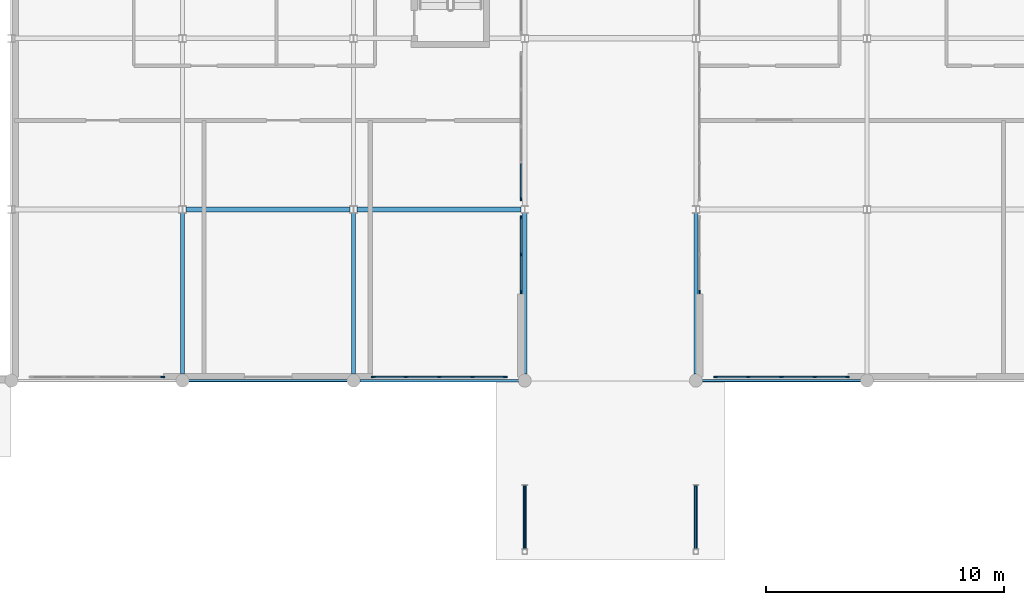
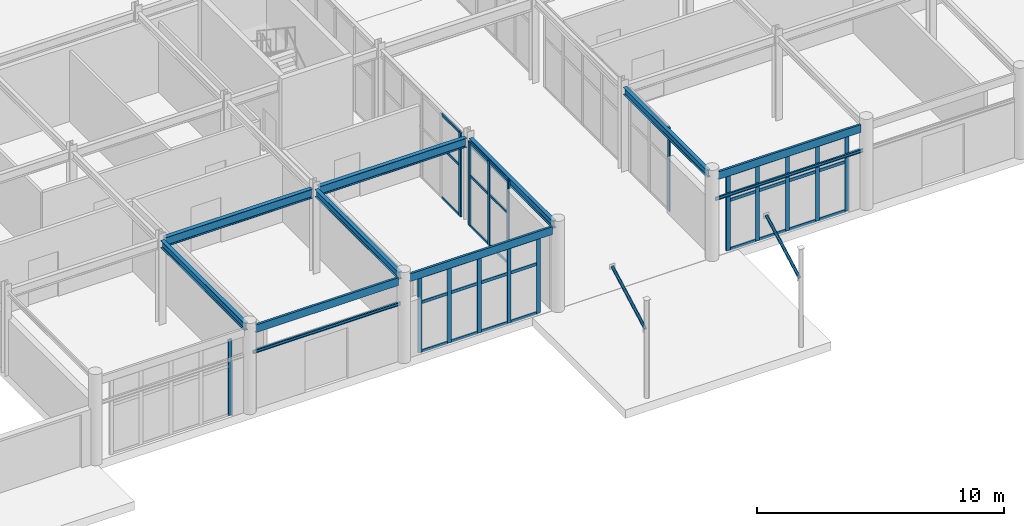
# One storey, part 27 of 85: 51 members, 11 beams, 6 elements without a shape of their own.
"""IFC4 building model written with IfcOpenShell, lengths in metres."""

from ifc_helpers import new_model, si_unit, direction, frame, origin, origin_2d, place, context, subcontext, project, spatial, rectangle, hollow_circle, i_section, u_section, extrude, material, layer, layer_set, material_profile, profile_set, type_object, element, aggregate, save


model = new_model("IFC4")

# Units and contexts
model_context = context("Model", 3, precision=1e-05, world=origin(), true_north=direction((0.0, 1.0)))
body_context = subcontext(model_context, "Body", "Model", "MODEL_VIEW")
ifc_project = project(units=[si_unit("LENGTHUNIT", "METRE"), si_unit("AREAUNIT", "SQUARE_METRE"), si_unit("VOLUMEUNIT", "CUBIC_METRE"), si_unit("PLANEANGLEUNIT", "RADIAN"), si_unit("MASSUNIT", "GRAM", prefix="KILO")], contexts=[model_context])

# Site, building, storey
site_placement = place(None, origin())
site = spatial("IfcSite", under=ifc_project, at=site_placement, CompositionType="ELEMENT")
building_placement = place(site_placement, origin())
building = spatial("IfcBuilding", under=site, at=building_placement, Name="Ochrevale Crest", CompositionType="ELEMENT")
storey_placement = place(building_placement, origin())
storey = spatial("IfcBuildingStorey", under=building, at=storey_placement, Name="L00", CompositionType="ELEMENT", Elevation=0.0)

# Beams
ifc_material_1 = material(Name="Steel S355", Category="steel")
ifc_material_profile_1 = material_profile(ifc_material_1, u_section(Depth=0.3798828125, FlangeWidth=0.10009765625, WebThickness=0.010009765625, FlangeThickness=0.017578125, FilletRadius=0.013916015625, at=origin_2d()), Name="380PFC")
ifc_profile_set_1 = profile_set([ifc_material_profile_1], Name="Steel S355")
beam_type_1 = type_object("IfcBeamType", Name="BM-PFC380", PredefinedType="SPANDREL", material=ifc_profile_set_1)
for number, where, z_axis, x_axis, name in (
    (1, (65.070068359375, 7.199951171875, 3.985107421875), (1.0, 0.0, 0.0), (0.0, 1.0, 0.0), "Retail arcade L00 E-W beam Y=7.2"),
    (2, (72.27001953125, 7.199951171875, 3.985107421875), (1.0, 0.0, 0.0), (0.0, 1.0, 0.0), "Retail arcade L00 E-W beam Y=7.2"),
):
    element("IfcBeam", number, at=place(storey_placement, frame(where, z_axis=z_axis, x_axis=x_axis)), inside=storey, type_object=beam_type_1, Name=name, PredefinedType="SPANDREL", context=body_context, shape_type="SweptSolid", body=[
        extrude(u_section(Depth=0.3798828125, FlangeWidth=0.10009765625, WebThickness=0.010009765625, FlangeThickness=0.017578125, FilletRadius=0.013916015625, at=origin_2d()), origin(), (0.0, 0.0, 1.0), 6.659912109375),
    ])
beam_1_placement = place(storey_placement, frame((86.669921875, 7.199951171875, 3.985107421875), z_axis=(1.0, 0.0, 0.0), x_axis=(0.0, 1.0, 0.0)))
element("IfcBeam", 3, at=beam_1_placement, inside=storey, type_object=beam_type_1, Name="Retail arcade L00 E-W beam Y=7.2", PredefinedType="SPANDREL", context=body_context, shape_type="SweptSolid", body=[
    extrude(u_section(Depth=0.3798828125, FlangeWidth=0.10009765625, WebThickness=0.010009765625, FlangeThickness=0.017578125, FilletRadius=0.013916015625, at=origin_2d()), origin(), (0.0, 0.0, 1.0), 6.66015625),
])
ifc_material_profile_2 = material_profile(ifc_material_1, i_section(OverallWidth=0.074951171875, OverallDepth=0.155029296875, WebThickness=0.006103515625, FlangeThickness=0.009521484375, FilletRadius=0.008056640625, at=origin_2d()), Name="150UB18.0")
ifc_profile_set_2 = profile_set([ifc_material_profile_2], Name="Steel S355")
beam_type_2 = type_object("IfcBeamType", Name="BM-UB150", PredefinedType="LINTEL", material=ifc_profile_set_2)
beam_2_placement = place(storey_placement, frame((64.949951171875, 7.199951171875, 2.85009765625), z_axis=(1.0, 0.0, 0.0), x_axis=(0.0, 1.0, 0.0)))
element("IfcBeam", 4, at=beam_2_placement, inside=storey, type_object=beam_type_2, Name="Retail shopfront steel lintel L00-2", PredefinedType="LINTEL", context=body_context, shape_type="SweptSolid", body=[
    extrude(i_section(OverallWidth=0.074951171875, OverallDepth=0.155029296875, WebThickness=0.006103515625, FlangeThickness=0.009521484375, FilletRadius=0.008056640625, at=origin_2d()), origin(), (0.0, 0.0, 1.0), 6.900146484375),
])
beam_3_placement = place(storey_placement, frame((86.550048828125, 7.199951171875, 2.85009765625), z_axis=(1.0, 0.0, 0.0), x_axis=(0.0, 1.0, 0.0)))
element("IfcBeam", 5, at=beam_3_placement, inside=storey, type_object=beam_type_2, Name="Retail shopfront steel lintel L00-3", PredefinedType="LINTEL", context=body_context, shape_type="SweptSolid", body=[
    extrude(i_section(OverallWidth=0.074951171875, OverallDepth=0.155029296875, WebThickness=0.006103515625, FlangeThickness=0.009521484375, FilletRadius=0.008056640625, at=origin_2d()), origin(), (0.0, 0.0, 1.0), 6.89990234375),
])
ifc_material_profile_3 = material_profile(ifc_material_1, i_section(OverallWidth=0.172119140625, OverallDepth=0.358642578125, WebThickness=0.008056640625, FlangeThickness=0.012939453125, FilletRadius=0.011474609375, at=origin_2d()), Name="360UB56.7")
ifc_profile_set_3 = profile_set([ifc_material_profile_3], Name="Steel S355")
beam_type_3 = type_object("IfcBeamType", Name="BM-UB360B", PredefinedType="BEAM", material=ifc_profile_set_3)
for number, where, z_axis, x_axis, name in (
    (6, (64.800048828125, 7.469970703125, 3.99560546875), (0.0, 1.0, 0.0), (-1.0, 0.0, 0.0), "Retail arcade L00 N-S beam X=64.8"),
    (7, (72.0, 7.469970703125, 3.99560546875), (0.0, 1.0, 0.0), (-1.0, 0.0, 0.0), "Retail arcade L00 N-S beam X=72.0"),
    (8, (79.199951171875, 7.469970703125, 3.99560546875), (0.0, 1.0, 0.0), (-1.0, 0.0, 0.0), "Retail arcade L00 N-S beam X=79.2"),
    (9, (86.39990234375, 7.469970703125, 3.99560546875), (0.0, 1.0, 0.0), (-1.0, 0.0, 0.0), "Retail arcade L00 N-S beam X=86.4"),
):
    element("IfcBeam", number, at=place(storey_placement, frame(where, z_axis=z_axis, x_axis=x_axis)), inside=storey, type_object=beam_type_3, Name=name, PredefinedType="BEAM", context=body_context, shape_type="SweptSolid", body=[
        extrude(i_section(OverallWidth=0.172119140625, OverallDepth=0.358642578125, WebThickness=0.008056640625, FlangeThickness=0.012939453125, FilletRadius=0.011474609375, at=origin_2d()), origin(), (0.0, 0.0, 1.0), 6.780029296875),
    ])
ifc_material_profile_4 = material_profile(ifc_material_1, i_section(OverallWidth=0.18994140625, OverallDepth=0.453857421875, WebThickness=0.008544921875, FlangeThickness=0.0126953125, FilletRadius=0.011474609375, at=origin_2d()), Name="460UB67.1")
ifc_profile_set_4 = profile_set([ifc_material_profile_4], Name="Steel S355")
beam_type_4 = type_object("IfcBeamType", Name="BM-UB460", PredefinedType="USERDEFINED", material=ifc_profile_set_4)
for number, where, z_axis, x_axis, name in (
    (10, (64.949951171875, 14.39990234375, 3.947998046875), (1.0, 0.0, 0.0), (0.0, 1.0, 0.0), "Retail arcade L00 E-W beam Y=14.4"),
    (11, (72.14990234375, 14.39990234375, 3.947998046875), (1.0, 0.0, 0.0), (0.0, 1.0, 0.0), "Retail arcade L00 E-W beam Y=14.4"),
):
    element("IfcBeam", number, at=place(storey_placement, frame(where, z_axis=z_axis, x_axis=x_axis)), inside=storey, type_object=beam_type_4, Name=name, ObjectType="GIRDER", PredefinedType="USERDEFINED", context=body_context, shape_type="SweptSolid", body=[
        extrude(i_section(OverallWidth=0.18994140625, OverallDepth=0.453857421875, WebThickness=0.008544921875, FlangeThickness=0.0126953125, FilletRadius=0.011474609375, at=origin_2d()), origin(), (0.0, 0.0, 1.0), 6.900146484375),
    ])

# Curtain wall, members
ifc_material_2 = material(Name="Anodised aluminium 6063-T5", Category="aluminium")
ifc_layer_1 = layer(ifc_material_2, 0.14990234375)
ifc_layer_set_1 = layer_set([ifc_layer_1], Name="Anodised aluminium 6063-T5")
curtain_wall_type_1 = type_object("IfcCurtainWallType", Name="CW-PAS-320x410", PredefinedType="NOTDEFINED", material=ifc_layer_set_1)
curtain_wall_1_placement = place(storey_placement, origin())
curtain_wall_1 = element("IfcCurtainWall", 12, at=curtain_wall_1_placement, inside=storey, type_object=curtain_wall_type_1, Name="Covered public passage W shopfront glazing 1", PredefinedType="NOTDEFINED")
ifc_material_profile_5 = material_profile(ifc_material_2, rectangle(XDim=0.06494140625, YDim=0.14990234375, at=origin_2d()), Name="ALU 65x150")
ifc_profile_set_5 = profile_set([ifc_material_profile_5], Name="Anodised aluminium 6063-T5")
member_type_1 = type_object("IfcMemberType", Name="CW-MUL-65x150", PredefinedType="MULLION", material=ifc_profile_set_5)
member_1_placement = place(storey_placement, frame((79.050048828125, 10.9326171875, 0.0), z_axis=(0.0, 0.0, 1.0), x_axis=(-1.0, 0.0, 0.0)))
member_1 = element("IfcMember", 13, at=member_1_placement, type_object=member_type_1, Name="CW04 mullion 1", PredefinedType="MULLION", context=body_context, shape_type="SweptSolid", body=[
    extrude(rectangle(XDim=0.06494140625, YDim=0.14990234375, at=origin_2d()), origin(), (0.0, 0.0, 1.0), 4.14990234375),
])
member_2_placement = place(storey_placement, frame((79.050048828125, 12.5, 0.0), z_axis=(0.0, 0.0, 1.0), x_axis=(-1.0, 0.0, 0.0)))
member_2 = element("IfcMember", 14, at=member_2_placement, type_object=member_type_1, Name="CW04 mullion 2", PredefinedType="MULLION", context=body_context, shape_type="SweptSolid", body=[
    extrude(rectangle(XDim=0.06494140625, YDim=0.14990234375, at=origin_2d()), origin(), (0.0, 0.0, 1.0), 4.14990234375),
])
member_3_placement = place(storey_placement, frame((79.050048828125, 14.0673828125, 0.0), z_axis=(0.0, 0.0, 1.0), x_axis=(-1.0, 0.0, 0.0)))
member_3 = element("IfcMember", 15, at=member_3_placement, type_object=member_type_1, Name="CW04 mullion 3", PredefinedType="MULLION", context=body_context, shape_type="SweptSolid", body=[
    extrude(rectangle(XDim=0.06494140625, YDim=0.14990234375, at=origin_2d()), origin(), (0.0, 0.0, 1.0), 4.14990234375),
])

# Curtain wall, member
ifc_layer_2 = layer(ifc_material_2, 0.14990234375)
ifc_layer_set_2 = layer_set([ifc_layer_2], Name="Anodised aluminium 6063-T5")
curtain_wall_type_2 = type_object("IfcCurtainWallType", Name="CW-PAS-620x410", PredefinedType="NOTDEFINED", material=ifc_layer_set_2)
curtain_wall_2_placement = place(storey_placement, origin())
curtain_wall_2 = element("IfcCurtainWall", 16, at=curtain_wall_2_placement, inside=storey, type_object=curtain_wall_type_2, Name="Covered public passage W shopfront glazing 2", PredefinedType="NOTDEFINED")
member_4_placement = place(storey_placement, frame((79.050048828125, 14.83251953125, 0.0), z_axis=(0.0, 0.0, 1.0), x_axis=(-1.0, 0.0, 0.0)))
member_4 = element("IfcMember", 17, at=member_4_placement, type_object=member_type_1, Name="CW05 mullion 1", PredefinedType="MULLION", context=body_context, shape_type="SweptSolid", body=[
    extrude(rectangle(XDim=0.06494140625, YDim=0.14990234375, at=origin_2d()), origin(), (0.0, 0.0, 1.0), 4.14990234375),
])

curtain_wall_3_placement = place(storey_placement, origin())
curtain_wall_3 = element("IfcCurtainWall", 18, at=curtain_wall_3_placement, inside=storey, type_object=curtain_wall_type_1, Name="Covered public passage E shopfront glazing 1", PredefinedType="NOTDEFINED")
member_5_placement = place(storey_placement, frame((86.550048828125, 10.9326171875, 0.0), z_axis=(0.0, 0.0, 1.0), x_axis=(-1.0, 0.0, 0.0)))
member_5 = element("IfcMember", 19, at=member_5_placement, type_object=member_type_1, Name="CW04 mullion 1", PredefinedType="MULLION", context=body_context, shape_type="SweptSolid", body=[
    extrude(rectangle(XDim=0.06494140625, YDim=0.14990234375, at=origin_2d()), origin(), (0.0, 0.0, 1.0), 4.14990234375),
])
aggregate(curtain_wall_3, [member_5])

ifc_layer_3 = layer(ifc_material_2, 0.14990234375)
ifc_layer_set_3 = layer_set([ifc_layer_3], Name="Anodised aluminium 6063-T5")
curtain_wall_type_3 = type_object("IfcCurtainWallType", Name="CW-SF-560x415", PredefinedType="NOTDEFINED", material=ifc_layer_set_3)
curtain_wall_4_placement = place(storey_placement, origin())
curtain_wall_4 = element("IfcCurtainWall", 20, at=curtain_wall_4_placement, inside=storey, type_object=curtain_wall_type_3, Name="Boulevard W wing shopfront curtain wall 1", PredefinedType="NOTDEFINED")
ifc_material_profile_6 = material_profile(ifc_material_2, rectangle(XDim=0.06494140625, YDim=0.179931640625, at=origin_2d()), Name="ALU 65x180")
ifc_profile_set_6 = profile_set([ifc_material_profile_6], Name="Anodised aluminium 6063-T5")
member_type_2 = type_object("IfcMemberType", Name="CW-MUL-65x180", PredefinedType="MULLION", material=ifc_profile_set_6)
member_6_placement = place(storey_placement, frame((63.967529296875, 7.35009765625, 0.0), z_axis=(0.0, 0.0, 1.0), x_axis=(0.0, 1.0, 0.0)))
member_6 = element("IfcMember", 21, at=member_6_placement, type_object=member_type_2, Name="CW02 mullion 5", PredefinedType="MULLION", context=body_context, shape_type="SweptSolid", body=[
    extrude(rectangle(XDim=0.06494140625, YDim=0.179931640625, at=origin_2d()), origin(), (0.0, 0.0, 1.0), 3.75),
])
aggregate(curtain_wall_4, [member_6])

# Curtain wall, members
curtain_wall_5_placement = place(storey_placement, origin())
curtain_wall_5 = element("IfcCurtainWall", 22, at=curtain_wall_5_placement, inside=storey, type_object=curtain_wall_type_3, Name="Boulevard W wing shopfront curtain wall 2", PredefinedType="NOTDEFINED")
member_7_placement = place(storey_placement, frame((72.83251953125, 7.35009765625, 0.0), z_axis=(0.0, 0.0, 1.0), x_axis=(0.0, 1.0, 0.0)))
member_7 = element("IfcMember", 23, at=member_7_placement, type_object=member_type_2, Name="CW02 mullion 1", PredefinedType="MULLION", context=body_context, shape_type="SweptSolid", body=[
    extrude(rectangle(XDim=0.06494140625, YDim=0.179931640625, at=origin_2d()), origin(), (0.0, 0.0, 1.0), 3.75),
])
member_8_placement = place(storey_placement, frame((74.199951171875, 7.35009765625, 0.0), z_axis=(0.0, 0.0, 1.0), x_axis=(0.0, 1.0, 0.0)))
member_8 = element("IfcMember", 24, at=member_8_placement, type_object=member_type_2, Name="CW02 mullion 2", PredefinedType="MULLION", context=body_context, shape_type="SweptSolid", body=[
    extrude(rectangle(XDim=0.06494140625, YDim=0.179931640625, at=origin_2d()), origin(), (0.0, 0.0, 1.0), 3.75),
])
member_9_placement = place(storey_placement, frame((75.60009765625, 7.35009765625, 0.0), z_axis=(0.0, 0.0, 1.0), x_axis=(0.0, 1.0, 0.0)))
member_9 = element("IfcMember", 25, at=member_9_placement, type_object=member_type_2, Name="CW02 mullion 3", PredefinedType="MULLION", context=body_context, shape_type="SweptSolid", body=[
    extrude(rectangle(XDim=0.06494140625, YDim=0.179931640625, at=origin_2d()), origin(), (0.0, 0.0, 1.0), 3.75),
])
member_10_placement = place(storey_placement, frame((77.0, 7.35009765625, 0.0), z_axis=(0.0, 0.0, 1.0), x_axis=(0.0, 1.0, 0.0)))
member_10 = element("IfcMember", 26, at=member_10_placement, type_object=member_type_2, Name="CW02 mullion 4", PredefinedType="MULLION", context=body_context, shape_type="SweptSolid", body=[
    extrude(rectangle(XDim=0.06494140625, YDim=0.179931640625, at=origin_2d()), origin(), (0.0, 0.0, 1.0), 3.75),
])
member_11_placement = place(storey_placement, frame((78.367431640625, 7.35009765625, 0.0), z_axis=(0.0, 0.0, 1.0), x_axis=(0.0, 1.0, 0.0)))
member_11 = element("IfcMember", 27, at=member_11_placement, type_object=member_type_2, Name="CW02 mullion 5", PredefinedType="MULLION", context=body_context, shape_type="SweptSolid", body=[
    extrude(rectangle(XDim=0.06494140625, YDim=0.179931640625, at=origin_2d()), origin(), (0.0, 0.0, 1.0), 3.75),
])

curtain_wall_6_placement = place(storey_placement, origin())
curtain_wall_6 = element("IfcCurtainWall", 28, at=curtain_wall_6_placement, inside=storey, type_object=curtain_wall_type_3, Name="Boulevard E wing shopfront curtain wall 1", PredefinedType="NOTDEFINED")
member_12_placement = place(storey_placement, frame((87.232421875, 7.35009765625, 0.0), z_axis=(0.0, 0.0, 1.0), x_axis=(0.0, 1.0, 0.0)))
member_12 = element("IfcMember", 29, at=member_12_placement, type_object=member_type_2, Name="CW02 mullion 1", PredefinedType="MULLION", context=body_context, shape_type="SweptSolid", body=[
    extrude(rectangle(XDim=0.06494140625, YDim=0.179931640625, at=origin_2d()), origin(), (0.0, 0.0, 1.0), 3.75),
])
member_13_placement = place(storey_placement, frame((88.60009765625, 7.35009765625, 0.0), z_axis=(0.0, 0.0, 1.0), x_axis=(0.0, 1.0, 0.0)))
member_13 = element("IfcMember", 30, at=member_13_placement, type_object=member_type_2, Name="CW02 mullion 2", PredefinedType="MULLION", context=body_context, shape_type="SweptSolid", body=[
    extrude(rectangle(XDim=0.06494140625, YDim=0.179931640625, at=origin_2d()), origin(), (0.0, 0.0, 1.0), 3.75),
])
member_14_placement = place(storey_placement, frame((90.0, 7.35009765625, 0.0), z_axis=(0.0, 0.0, 1.0), x_axis=(0.0, 1.0, 0.0)))
member_14 = element("IfcMember", 31, at=member_14_placement, type_object=member_type_2, Name="CW02 mullion 3", PredefinedType="MULLION", context=body_context, shape_type="SweptSolid", body=[
    extrude(rectangle(XDim=0.06494140625, YDim=0.179931640625, at=origin_2d()), origin(), (0.0, 0.0, 1.0), 3.75),
])
member_15_placement = place(storey_placement, frame((91.39990234375, 7.35009765625, 0.0), z_axis=(0.0, 0.0, 1.0), x_axis=(0.0, 1.0, 0.0)))
member_15 = element("IfcMember", 32, at=member_15_placement, type_object=member_type_2, Name="CW02 mullion 4", PredefinedType="MULLION", context=body_context, shape_type="SweptSolid", body=[
    extrude(rectangle(XDim=0.06494140625, YDim=0.179931640625, at=origin_2d()), origin(), (0.0, 0.0, 1.0), 3.75),
])
member_16_placement = place(storey_placement, frame((92.767578125, 7.35009765625, 0.0), z_axis=(0.0, 0.0, 1.0), x_axis=(0.0, 1.0, 0.0)))
member_16 = element("IfcMember", 33, at=member_16_placement, type_object=member_type_2, Name="CW02 mullion 5", PredefinedType="MULLION", context=body_context, shape_type="SweptSolid", body=[
    extrude(rectangle(XDim=0.06494140625, YDim=0.179931640625, at=origin_2d()), origin(), (0.0, 0.0, 1.0), 3.75),
])

# Member
ifc_material_profile_7 = material_profile(ifc_material_2, rectangle(XDim=0.06005859375, YDim=0.1201171875, at=origin_2d()), Name="ALU 60x120")
ifc_profile_set_7 = profile_set([ifc_material_profile_7], Name="Anodised aluminium 6063-T5")
member_type_3 = type_object("IfcMemberType", Name="CW-TRN-60x120", PredefinedType="USERDEFINED", material=ifc_profile_set_7)
member_17_placement = place(storey_placement, frame((79.050048828125, 10.965087890625, 0.030029296875), z_axis=(0.0, 1.0, 0.0), x_axis=(-1.0, 0.0, 0.0)))
member_17 = element("IfcMember", 34, at=member_17_placement, type_object=member_type_3, Name="CW04 transom 1.1", ObjectType="TRANSOM", PredefinedType="USERDEFINED", context=body_context, shape_type="SweptSolid", body=[
    extrude(rectangle(XDim=0.06005859375, YDim=0.1201171875, at=origin_2d()), origin(), (0.0, 0.0, 1.0), 1.50244140625),
])

member_18_placement = place(storey_placement, frame((79.050048828125, 10.965087890625, 2.5), z_axis=(0.0, 1.0, 0.0), x_axis=(-1.0, 0.0, 0.0)))
member_18 = element("IfcMember", 35, at=member_18_placement, type_object=member_type_3, Name="CW04 transom 1.2", ObjectType="TRANSOM", PredefinedType="USERDEFINED", context=body_context, shape_type="SweptSolid", body=[
    extrude(rectangle(XDim=0.06005859375, YDim=0.1201171875, at=origin_2d()), origin(), (0.0, 0.0, 1.0), 1.50244140625),
])

member_19_placement = place(storey_placement, frame((79.050048828125, 10.965087890625, 4.1201171875), z_axis=(0.0, 1.0, 0.0), x_axis=(-1.0, 0.0, 0.0)))
member_19 = element("IfcMember", 36, at=member_19_placement, type_object=member_type_3, Name="CW04 transom 1.3", ObjectType="TRANSOM", PredefinedType="USERDEFINED", context=body_context, shape_type="SweptSolid", body=[
    extrude(rectangle(XDim=0.06005859375, YDim=0.1201171875, at=origin_2d()), origin(), (0.0, 0.0, 1.0), 1.50244140625),
])

member_20_placement = place(storey_placement, frame((79.050048828125, 12.532470703125, 0.030029296875), z_axis=(0.0, 1.0, 0.0), x_axis=(-1.0, 0.0, 0.0)))
member_20 = element("IfcMember", 37, at=member_20_placement, type_object=member_type_3, Name="CW04 transom 2.1", ObjectType="TRANSOM", PredefinedType="USERDEFINED", context=body_context, shape_type="SweptSolid", body=[
    extrude(rectangle(XDim=0.06005859375, YDim=0.1201171875, at=origin_2d()), origin(), (0.0, 0.0, 1.0), 1.50244140625),
])

member_21_placement = place(storey_placement, frame((79.050048828125, 12.532470703125, 2.5), z_axis=(0.0, 1.0, 0.0), x_axis=(-1.0, 0.0, 0.0)))
member_21 = element("IfcMember", 38, at=member_21_placement, type_object=member_type_3, Name="CW04 transom 2.2", ObjectType="TRANSOM", PredefinedType="USERDEFINED", context=body_context, shape_type="SweptSolid", body=[
    extrude(rectangle(XDim=0.06005859375, YDim=0.1201171875, at=origin_2d()), origin(), (0.0, 0.0, 1.0), 1.50244140625),
])

member_22_placement = place(storey_placement, frame((79.050048828125, 12.532470703125, 4.1201171875), z_axis=(0.0, 1.0, 0.0), x_axis=(-1.0, 0.0, 0.0)))
member_22 = element("IfcMember", 39, at=member_22_placement, type_object=member_type_3, Name="CW04 transom 2.3", ObjectType="TRANSOM", PredefinedType="USERDEFINED", context=body_context, shape_type="SweptSolid", body=[
    extrude(rectangle(XDim=0.06005859375, YDim=0.1201171875, at=origin_2d()), origin(), (0.0, 0.0, 1.0), 1.50244140625),
])

aggregate(curtain_wall_1, [member_1, member_2, member_3, member_17, member_18, member_19, member_20, member_21, member_22])

member_23_placement = place(storey_placement, frame((79.050048828125, 14.864990234375, 0.030029296875), z_axis=(0.0, 1.0, 0.0), x_axis=(-1.0, 0.0, 0.0)))
member_23 = element("IfcMember", 40, at=member_23_placement, type_object=member_type_3, Name="CW05 transom 1.1", ObjectType="TRANSOM", PredefinedType="USERDEFINED", context=body_context, shape_type="SweptSolid", body=[
    extrude(rectangle(XDim=0.06005859375, YDim=0.1201171875, at=origin_2d()), origin(), (0.0, 0.0, 1.0), 1.452392578125),
])

member_24_placement = place(storey_placement, frame((79.050048828125, 14.864990234375, 2.5), z_axis=(0.0, 1.0, 0.0), x_axis=(-1.0, 0.0, 0.0)))
member_24 = element("IfcMember", 41, at=member_24_placement, type_object=member_type_3, Name="CW05 transom 1.2", ObjectType="TRANSOM", PredefinedType="USERDEFINED", context=body_context, shape_type="SweptSolid", body=[
    extrude(rectangle(XDim=0.06005859375, YDim=0.1201171875, at=origin_2d()), origin(), (0.0, 0.0, 1.0), 1.452392578125),
])

member_25_placement = place(storey_placement, frame((79.050048828125, 14.864990234375, 4.1201171875), z_axis=(0.0, 1.0, 0.0), x_axis=(-1.0, 0.0, 0.0)))
member_25 = element("IfcMember", 42, at=member_25_placement, type_object=member_type_3, Name="CW05 transom 1.3", ObjectType="TRANSOM", PredefinedType="USERDEFINED", context=body_context, shape_type="SweptSolid", body=[
    extrude(rectangle(XDim=0.06005859375, YDim=0.1201171875, at=origin_2d()), origin(), (0.0, 0.0, 1.0), 1.452392578125),
])

aggregate(curtain_wall_2, [member_4, member_23, member_24, member_25])

ifc_material_profile_8 = material_profile(ifc_material_2, rectangle(XDim=0.06005859375, YDim=0.14990234375, at=origin_2d()), Name="ALU 60x150")
ifc_profile_set_8 = profile_set([ifc_material_profile_8], Name="Anodised aluminium 6063-T5")
member_type_4 = type_object("IfcMemberType", Name="CW-TRN-60x150", PredefinedType="USERDEFINED", material=ifc_profile_set_8)
member_26_placement = place(storey_placement, frame((72.864990234375, 7.35009765625, 0.030029296875), z_axis=(1.0, 0.0, 0.0), x_axis=(0.0, 1.0, 0.0)))
member_26 = element("IfcMember", 43, at=member_26_placement, type_object=member_type_4, Name="CW02 transom 1.1", ObjectType="TRANSOM", PredefinedType="USERDEFINED", context=body_context, shape_type="SweptSolid", body=[
    extrude(rectangle(XDim=0.06005859375, YDim=0.14990234375, at=origin_2d()), origin(), (0.0, 0.0, 1.0), 1.302490234375),
])

member_27_placement = place(storey_placement, frame((72.864990234375, 7.35009765625, 2.449951171875), z_axis=(1.0, 0.0, 0.0), x_axis=(0.0, 1.0, 0.0)))
member_27 = element("IfcMember", 44, at=member_27_placement, type_object=member_type_4, Name="CW02 transom 1.2", ObjectType="TRANSOM", PredefinedType="USERDEFINED", context=body_context, shape_type="SweptSolid", body=[
    extrude(rectangle(XDim=0.06005859375, YDim=0.14990234375, at=origin_2d()), origin(), (0.0, 0.0, 1.0), 1.302490234375),
])

member_28_placement = place(storey_placement, frame((72.864990234375, 7.35009765625, 3.719970703125), z_axis=(1.0, 0.0, 0.0), x_axis=(0.0, 1.0, 0.0)))
member_28 = element("IfcMember", 45, at=member_28_placement, type_object=member_type_4, Name="CW02 transom 1.3", ObjectType="TRANSOM", PredefinedType="USERDEFINED", context=body_context, shape_type="SweptSolid", body=[
    extrude(rectangle(XDim=0.06005859375, YDim=0.14990234375, at=origin_2d()), origin(), (0.0, 0.0, 1.0), 1.302490234375),
])

member_29_placement = place(storey_placement, frame((74.232421875, 7.35009765625, 0.030029296875), z_axis=(1.0, 0.0, 0.0), x_axis=(0.0, 1.0, 0.0)))
member_29 = element("IfcMember", 46, at=member_29_placement, type_object=member_type_4, Name="CW02 transom 2.1", ObjectType="TRANSOM", PredefinedType="USERDEFINED", context=body_context, shape_type="SweptSolid", body=[
    extrude(rectangle(XDim=0.06005859375, YDim=0.14990234375, at=origin_2d()), origin(), (0.0, 0.0, 1.0), 1.3349609375),
])

member_30_placement = place(storey_placement, frame((74.232421875, 7.35009765625, 2.449951171875), z_axis=(1.0, 0.0, 0.0), x_axis=(0.0, 1.0, 0.0)))
member_30 = element("IfcMember", 47, at=member_30_placement, type_object=member_type_4, Name="CW02 transom 2.2", ObjectType="TRANSOM", PredefinedType="USERDEFINED", context=body_context, shape_type="SweptSolid", body=[
    extrude(rectangle(XDim=0.06005859375, YDim=0.14990234375, at=origin_2d()), origin(), (0.0, 0.0, 1.0), 1.3349609375),
])

member_31_placement = place(storey_placement, frame((74.232421875, 7.35009765625, 3.719970703125), z_axis=(1.0, 0.0, 0.0), x_axis=(0.0, 1.0, 0.0)))
member_31 = element("IfcMember", 48, at=member_31_placement, type_object=member_type_4, Name="CW02 transom 2.3", ObjectType="TRANSOM", PredefinedType="USERDEFINED", context=body_context, shape_type="SweptSolid", body=[
    extrude(rectangle(XDim=0.06005859375, YDim=0.14990234375, at=origin_2d()), origin(), (0.0, 0.0, 1.0), 1.3349609375),
])

member_32_placement = place(storey_placement, frame((75.632568359375, 7.35009765625, 0.030029296875), z_axis=(1.0, 0.0, 0.0), x_axis=(0.0, 1.0, 0.0)))
member_32 = element("IfcMember", 49, at=member_32_placement, type_object=member_type_4, Name="CW02 transom 3.1", ObjectType="TRANSOM", PredefinedType="USERDEFINED", context=body_context, shape_type="SweptSolid", body=[
    extrude(rectangle(XDim=0.06005859375, YDim=0.14990234375, at=origin_2d()), origin(), (0.0, 0.0, 1.0), 1.3349609375),
])

member_33_placement = place(storey_placement, frame((75.632568359375, 7.35009765625, 2.449951171875), z_axis=(1.0, 0.0, 0.0), x_axis=(0.0, 1.0, 0.0)))
member_33 = element("IfcMember", 50, at=member_33_placement, type_object=member_type_4, Name="CW02 transom 3.2", ObjectType="TRANSOM", PredefinedType="USERDEFINED", context=body_context, shape_type="SweptSolid", body=[
    extrude(rectangle(XDim=0.06005859375, YDim=0.14990234375, at=origin_2d()), origin(), (0.0, 0.0, 1.0), 1.3349609375),
])

member_34_placement = place(storey_placement, frame((75.632568359375, 7.35009765625, 3.719970703125), z_axis=(1.0, 0.0, 0.0), x_axis=(0.0, 1.0, 0.0)))
member_34 = element("IfcMember", 51, at=member_34_placement, type_object=member_type_4, Name="CW02 transom 3.3", ObjectType="TRANSOM", PredefinedType="USERDEFINED", context=body_context, shape_type="SweptSolid", body=[
    extrude(rectangle(XDim=0.06005859375, YDim=0.14990234375, at=origin_2d()), origin(), (0.0, 0.0, 1.0), 1.3349609375),
])

member_35_placement = place(storey_placement, frame((77.032470703125, 7.35009765625, 0.030029296875), z_axis=(1.0, 0.0, 0.0), x_axis=(0.0, 1.0, 0.0)))
member_35 = element("IfcMember", 52, at=member_35_placement, type_object=member_type_4, Name="CW02 transom 4.1", ObjectType="TRANSOM", PredefinedType="USERDEFINED", context=body_context, shape_type="SweptSolid", body=[
    extrude(rectangle(XDim=0.06005859375, YDim=0.14990234375, at=origin_2d()), origin(), (0.0, 0.0, 1.0), 1.302490234375),
])

member_36_placement = place(storey_placement, frame((77.032470703125, 7.35009765625, 2.449951171875), z_axis=(1.0, 0.0, 0.0), x_axis=(0.0, 1.0, 0.0)))
member_36 = element("IfcMember", 53, at=member_36_placement, type_object=member_type_4, Name="CW02 transom 4.2", ObjectType="TRANSOM", PredefinedType="USERDEFINED", context=body_context, shape_type="SweptSolid", body=[
    extrude(rectangle(XDim=0.06005859375, YDim=0.14990234375, at=origin_2d()), origin(), (0.0, 0.0, 1.0), 1.302490234375),
])

member_37_placement = place(storey_placement, frame((77.032470703125, 7.35009765625, 3.719970703125), z_axis=(1.0, 0.0, 0.0), x_axis=(0.0, 1.0, 0.0)))
member_37 = element("IfcMember", 54, at=member_37_placement, type_object=member_type_4, Name="CW02 transom 4.3", ObjectType="TRANSOM", PredefinedType="USERDEFINED", context=body_context, shape_type="SweptSolid", body=[
    extrude(rectangle(XDim=0.06005859375, YDim=0.14990234375, at=origin_2d()), origin(), (0.0, 0.0, 1.0), 1.302490234375),
])

aggregate(curtain_wall_5, [member_7, member_8, member_9, member_10, member_11, member_26, member_27, member_28, member_29, member_30, member_31, member_32, member_33, member_34, member_35, member_36, member_37])

member_38_placement = place(storey_placement, frame((87.264892578125, 7.35009765625, 0.030029296875), z_axis=(1.0, 0.0, 0.0), x_axis=(0.0, 1.0, 0.0)))
member_38 = element("IfcMember", 55, at=member_38_placement, type_object=member_type_4, Name="CW02 transom 1.1", ObjectType="TRANSOM", PredefinedType="USERDEFINED", context=body_context, shape_type="SweptSolid", body=[
    extrude(rectangle(XDim=0.06005859375, YDim=0.14990234375, at=origin_2d()), origin(), (0.0, 0.0, 1.0), 1.302490234375),
])

member_39_placement = place(storey_placement, frame((87.264892578125, 7.35009765625, 2.449951171875), z_axis=(1.0, 0.0, 0.0), x_axis=(0.0, 1.0, 0.0)))
member_39 = element("IfcMember", 56, at=member_39_placement, type_object=member_type_4, Name="CW02 transom 1.2", ObjectType="TRANSOM", PredefinedType="USERDEFINED", context=body_context, shape_type="SweptSolid", body=[
    extrude(rectangle(XDim=0.06005859375, YDim=0.14990234375, at=origin_2d()), origin(), (0.0, 0.0, 1.0), 1.302490234375),
])

member_40_placement = place(storey_placement, frame((87.264892578125, 7.35009765625, 3.719970703125), z_axis=(1.0, 0.0, 0.0), x_axis=(0.0, 1.0, 0.0)))
member_40 = element("IfcMember", 57, at=member_40_placement, type_object=member_type_4, Name="CW02 transom 1.3", ObjectType="TRANSOM", PredefinedType="USERDEFINED", context=body_context, shape_type="SweptSolid", body=[
    extrude(rectangle(XDim=0.06005859375, YDim=0.14990234375, at=origin_2d()), origin(), (0.0, 0.0, 1.0), 1.302490234375),
])

member_41_placement = place(storey_placement, frame((88.632568359375, 7.35009765625, 0.030029296875), z_axis=(1.0, 0.0, 0.0), x_axis=(0.0, 1.0, 0.0)))
member_41 = element("IfcMember", 58, at=member_41_placement, type_object=member_type_4, Name="CW02 transom 2.1", ObjectType="TRANSOM", PredefinedType="USERDEFINED", context=body_context, shape_type="SweptSolid", body=[
    extrude(rectangle(XDim=0.06005859375, YDim=0.14990234375, at=origin_2d()), origin(), (0.0, 0.0, 1.0), 1.3349609375),
])

member_42_placement = place(storey_placement, frame((88.632568359375, 7.35009765625, 2.449951171875), z_axis=(1.0, 0.0, 0.0), x_axis=(0.0, 1.0, 0.0)))
member_42 = element("IfcMember", 59, at=member_42_placement, type_object=member_type_4, Name="CW02 transom 2.2", ObjectType="TRANSOM", PredefinedType="USERDEFINED", context=body_context, shape_type="SweptSolid", body=[
    extrude(rectangle(XDim=0.06005859375, YDim=0.14990234375, at=origin_2d()), origin(), (0.0, 0.0, 1.0), 1.3349609375),
])

member_43_placement = place(storey_placement, frame((88.632568359375, 7.35009765625, 3.719970703125), z_axis=(1.0, 0.0, 0.0), x_axis=(0.0, 1.0, 0.0)))
member_43 = element("IfcMember", 60, at=member_43_placement, type_object=member_type_4, Name="CW02 transom 2.3", ObjectType="TRANSOM", PredefinedType="USERDEFINED", context=body_context, shape_type="SweptSolid", body=[
    extrude(rectangle(XDim=0.06005859375, YDim=0.14990234375, at=origin_2d()), origin(), (0.0, 0.0, 1.0), 1.3349609375),
])

member_44_placement = place(storey_placement, frame((90.032470703125, 7.35009765625, 0.030029296875), z_axis=(1.0, 0.0, 0.0), x_axis=(0.0, 1.0, 0.0)))
member_44 = element("IfcMember", 61, at=member_44_placement, type_object=member_type_4, Name="CW02 transom 3.1", ObjectType="TRANSOM", PredefinedType="USERDEFINED", context=body_context, shape_type="SweptSolid", body=[
    extrude(rectangle(XDim=0.06005859375, YDim=0.14990234375, at=origin_2d()), origin(), (0.0, 0.0, 1.0), 1.3349609375),
])

member_45_placement = place(storey_placement, frame((90.032470703125, 7.35009765625, 2.449951171875), z_axis=(1.0, 0.0, 0.0), x_axis=(0.0, 1.0, 0.0)))
member_45 = element("IfcMember", 62, at=member_45_placement, type_object=member_type_4, Name="CW02 transom 3.2", ObjectType="TRANSOM", PredefinedType="USERDEFINED", context=body_context, shape_type="SweptSolid", body=[
    extrude(rectangle(XDim=0.06005859375, YDim=0.14990234375, at=origin_2d()), origin(), (0.0, 0.0, 1.0), 1.3349609375),
])

member_46_placement = place(storey_placement, frame((90.032470703125, 7.35009765625, 3.719970703125), z_axis=(1.0, 0.0, 0.0), x_axis=(0.0, 1.0, 0.0)))
member_46 = element("IfcMember", 63, at=member_46_placement, type_object=member_type_4, Name="CW02 transom 3.3", ObjectType="TRANSOM", PredefinedType="USERDEFINED", context=body_context, shape_type="SweptSolid", body=[
    extrude(rectangle(XDim=0.06005859375, YDim=0.14990234375, at=origin_2d()), origin(), (0.0, 0.0, 1.0), 1.3349609375),
])

member_47_placement = place(storey_placement, frame((91.4326171875, 7.35009765625, 0.030029296875), z_axis=(1.0, 0.0, 0.0), x_axis=(0.0, 1.0, 0.0)))
member_47 = element("IfcMember", 64, at=member_47_placement, type_object=member_type_4, Name="CW02 transom 4.1", ObjectType="TRANSOM", PredefinedType="USERDEFINED", context=body_context, shape_type="SweptSolid", body=[
    extrude(rectangle(XDim=0.06005859375, YDim=0.14990234375, at=origin_2d()), origin(), (0.0, 0.0, 1.0), 1.302490234375),
])

member_48_placement = place(storey_placement, frame((91.4326171875, 7.35009765625, 2.449951171875), z_axis=(1.0, 0.0, 0.0), x_axis=(0.0, 1.0, 0.0)))
member_48 = element("IfcMember", 65, at=member_48_placement, type_object=member_type_4, Name="CW02 transom 4.2", ObjectType="TRANSOM", PredefinedType="USERDEFINED", context=body_context, shape_type="SweptSolid", body=[
    extrude(rectangle(XDim=0.06005859375, YDim=0.14990234375, at=origin_2d()), origin(), (0.0, 0.0, 1.0), 1.302490234375),
])

member_49_placement = place(storey_placement, frame((91.4326171875, 7.35009765625, 3.719970703125), z_axis=(1.0, 0.0, 0.0), x_axis=(0.0, 1.0, 0.0)))
member_49 = element("IfcMember", 66, at=member_49_placement, type_object=member_type_4, Name="CW02 transom 4.3", ObjectType="TRANSOM", PredefinedType="USERDEFINED", context=body_context, shape_type="SweptSolid", body=[
    extrude(rectangle(XDim=0.06005859375, YDim=0.14990234375, at=origin_2d()), origin(), (0.0, 0.0, 1.0), 1.302490234375),
])

aggregate(curtain_wall_6, [member_12, member_13, member_14, member_15, member_16, member_38, member_39, member_40, member_41, member_42, member_43, member_44, member_45, member_46, member_47, member_48, member_49])

# Members
ifc_material_profile_9 = material_profile(ifc_material_1, hollow_circle(Radius=0.06982421875, WallThickness=0.00634765625, at=origin_2d()), Name="139.7x6.3CHS")
ifc_profile_set_9 = profile_set([ifc_material_profile_9], Name="Steel S355")
member_type_5 = type_object("IfcMemberType", Name="MEM-CHS139-BR", PredefinedType="BRACE", material=ifc_profile_set_9)
for number, where, z_axis, x_axis, name in (
    (67, (79.199951171875, 0.1201171875, 3.300048828125), (0.0, 0.878146149286, 0.478392454471), (-1.0, 0.0, 0.0), "Entrance canopy knee brace"),
    (68, (86.39990234375, 0.1201171875, 3.300048828125), (0.0, 0.878146149286, 0.478392454471), (-1.0, 0.0, 0.0), "Entrance canopy knee brace"),
):
    element("IfcMember", number, at=place(storey_placement, frame(where, z_axis=z_axis, x_axis=x_axis)), inside=storey, type_object=member_type_5, Name=name, PredefinedType="BRACE", context=body_context, shape_type="SweptSolid", body=[
        extrude(hollow_circle(Radius=0.06982421875, WallThickness=0.00634765625, at=origin_2d()), origin(), (0.0, 0.0, 1.0), 3.0517578125),
    ])

save(model, "model.ifc")
